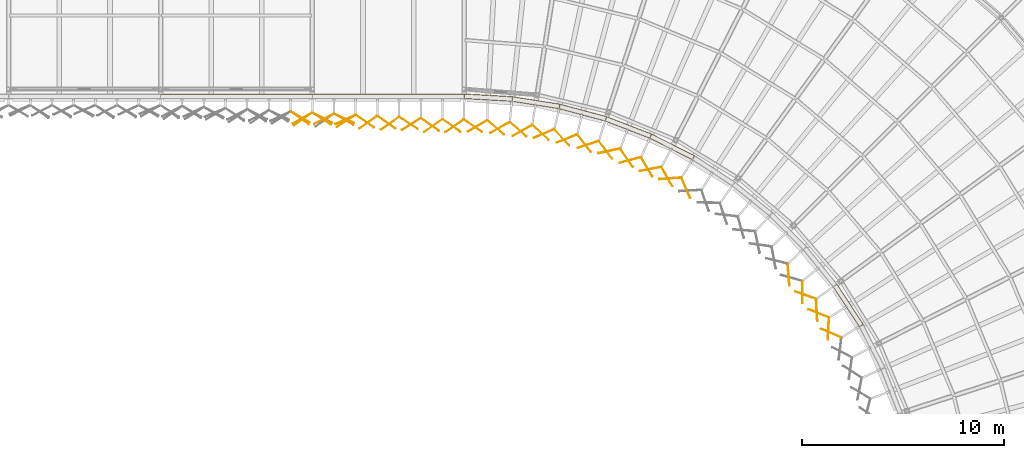
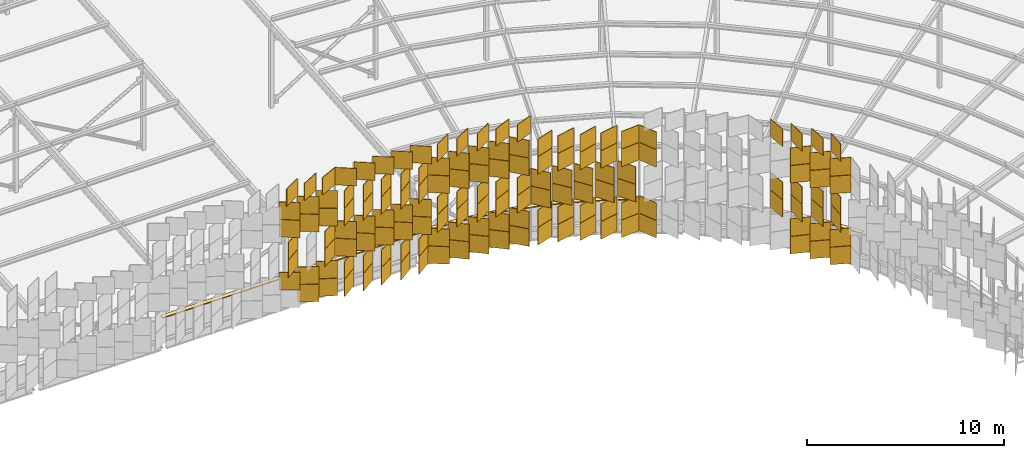
# One storey, part 472 of 483: 154 coverings.
"""IFC4 building model written with IfcOpenShell, lengths in metres."""

from ifc_helpers import new_model, si_unit, direction, frame, origin, origin_2d, place, context, subcontext, project, spatial, polyline, rectangle, outline, extrude, material, layer, layer_set, type_object, element, save


model = new_model("IFC4")

# Units and contexts
model_context = context("Model", 3, precision=1e-05, world=origin(), true_north=direction((0.0, 1.0)))
body_context = subcontext(model_context, "Body", "Model", "MODEL_VIEW")
ifc_project = project(units=[si_unit("LENGTHUNIT", "METRE"), si_unit("AREAUNIT", "SQUARE_METRE"), si_unit("VOLUMEUNIT", "CUBIC_METRE"), si_unit("PLANEANGLEUNIT", "RADIAN"), si_unit("MASSUNIT", "GRAM", prefix="KILO")], contexts=[model_context])

# Site, building, storey
site_placement = place(None, origin())
site = spatial("IfcSite", under=ifc_project, at=site_placement, CompositionType="ELEMENT")
building_placement = place(site_placement, origin())
building = spatial("IfcBuilding", under=site, at=building_placement, Name="Parallax Yard Mobility Hub", CompositionType="ELEMENT")
storey_placement = place(building_placement, frame((0.0, 0.0, 13.199951171875)))
storey = spatial("IfcBuildingStorey", under=building, at=storey_placement, Name="L04", CompositionType="ELEMENT", Elevation=13.199951171875)

# Coverings
ifc_material_1 = material(Name="Concrete fc' 35 MPa", Category="concrete")
ifc_layer_1 = layer(ifc_material_1, 0.06005859375)
ifc_layer_set_1 = layer_set([ifc_layer_1], Name="Parapet coping, Concrete fc' 35 MPa precast, 240")
covering_type_1 = type_object("IfcCoveringType", Name="Parapet coping, Concrete fc' 35 MPa precast, 240", PredefinedType="USERDEFINED", material=ifc_layer_set_1)
covering_1_placement = place(storey_placement, frame((0.0, 0.0, 1.199951171875)))
element("IfcCovering", 1, at=covering_1_placement, inside=storey, type_object=covering_type_1, Name="Parapet coping run 2 part 3", ObjectType="COPING", PredefinedType="USERDEFINED", context=body_context, shape_type="SweptSolid", body=[
    extrude(outline(polyline([(157.5, 112.76611328125), (157.5, 112.52587890625), (165.0, 112.52587890625), (165.0, 112.76611328125), (157.5, 112.76611328125)])), origin(), (0.0, 0.0, 1.0), 0.06005859375),
])
covering_2_placement = place(storey_placement, frame((0.0, 0.0, 1.199951171875)))
element("IfcCovering", 2, at=covering_2_placement, inside=storey, type_object=covering_type_1, Name="Parapet coping run 2 part 4", ObjectType="COPING", PredefinedType="USERDEFINED", context=body_context, shape_type="SweptSolid", body=[
    extrude(outline(polyline([(165.0, 112.76611328125), (165.0, 112.52587890625), (172.500732421875, 112.52587890625), (172.507568359375, 112.76611328125), (165.0, 112.76611328125)])), origin(), (0.0, 0.0, 1.0), 0.06005859375),
])
covering_3_placement = place(storey_placement, frame((0.0, 0.0, 1.199951171875)))
element("IfcCovering", 3, at=covering_3_placement, inside=storey, type_object=covering_type_1, Name="Parapet coping run 2 part 5", ObjectType="COPING", PredefinedType="USERDEFINED", context=body_context, shape_type="SweptSolid", body=[
    extrude(outline(polyline([(172.507568359375, 112.76611328125), (172.500732421875, 112.52587890625), (174.853515625, 112.39111328125), (174.87890625, 112.630126953125), (172.507568359375, 112.76611328125)])), origin(), (0.0, 0.0, 1.0), 0.06005859375),
])
covering_4_placement = place(storey_placement, frame((0.0, 0.0, 1.199951171875)))
element("IfcCovering", 4, at=covering_4_placement, inside=storey, type_object=covering_type_1, Name="Parapet coping run 2 part 6", ObjectType="COPING", PredefinedType="USERDEFINED", context=body_context, shape_type="SweptSolid", body=[
    extrude(outline(polyline([(174.87890625, 112.630126953125), (174.853515625, 112.39111328125), (177.181396484375, 112.0263671875), (177.231201171875, 112.261474609375), (174.87890625, 112.630126953125)])), origin(), (0.0, 0.0, 1.0), 0.06005859375),
])
covering_5_placement = place(storey_placement, frame((0.0, 0.0, 1.199951171875)))
element("IfcCovering", 5, at=covering_5_placement, inside=storey, type_object=covering_type_1, Name="Parapet coping run 2 part 7", ObjectType="COPING", PredefinedType="USERDEFINED", context=body_context, shape_type="SweptSolid", body=[
    extrude(outline(polyline([(177.231201171875, 112.261474609375), (177.181396484375, 112.0263671875), (179.45849609375, 111.416259765625), (179.53271484375, 111.644775390625), (177.231201171875, 112.261474609375)])), origin(), (0.0, 0.0, 1.0), 0.06005859375),
])
covering_6_placement = place(storey_placement, frame((0.0, 0.0, 1.199951171875)))
element("IfcCovering", 6, at=covering_6_placement, inside=storey, type_object=covering_type_1, Name="Parapet coping run 2 part 8", ObjectType="COPING", PredefinedType="USERDEFINED", context=body_context, shape_type="SweptSolid", body=[
    extrude(outline(polyline([(179.53271484375, 111.644775390625), (179.45849609375, 111.416259765625), (181.6572265625, 110.568115234375), (181.754638671875, 110.78759765625), (179.53271484375, 111.644775390625)])), origin(), (0.0, 0.0, 1.0), 0.06005859375),
])
covering_7_placement = place(storey_placement, frame((0.0, 0.0, 1.199951171875)))
element("IfcCovering", 7, at=covering_7_placement, inside=storey, type_object=covering_type_1, Name="Parapet coping run 2 part 9", ObjectType="COPING", PredefinedType="USERDEFINED", context=body_context, shape_type="SweptSolid", body=[
    extrude(outline(polyline([(181.754638671875, 110.78759765625), (181.6572265625, 110.568115234375), (183.76318359375, 109.508056640625), (183.88330078125, 109.71630859375), (181.754638671875, 110.78759765625)])), origin(), (0.0, 0.0, 1.0), 0.06005859375),
])
covering_8_placement = place(storey_placement, frame((0.0, 0.0, 1.199951171875)))
element("IfcCovering", 8, at=covering_8_placement, inside=storey, type_object=covering_type_1, Name="Parapet coping run 2 part 14", ObjectType="COPING", PredefinedType="USERDEFINED", context=body_context, shape_type="SweptSolid", body=[
    extrude(outline(polyline([(190.90869140625, 103.375244140625), (190.714599609375, 103.233642578125), (192.008056640625, 101.26318359375), (192.21630859375, 101.38330078125), (190.90869140625, 103.375244140625)])), origin(), (0.0, 0.0, 1.0), 0.06005859375),
])
ifc_material_2 = material(Name="Aluminium panel, silver anodised", Category="aluminium")
ifc_layer_2 = layer(ifc_material_2, 0.030029296875)
ifc_layer_set_2 = layer_set([ifc_layer_2], Name="Skin panel 25 degree turn, silver anodised")
covering_type_2 = type_object("IfcCoveringType", Name="Skin panel 25 degree turn, silver anodised", PredefinedType="CLADDING", material=ifc_layer_set_2)
for number, where, z_axis, x_axis, name in (
    (9, (166.5703125, 111.548828125, 0.02001953125), (0.0, 0.0, 1.0), (0.906307787037, -0.422618261741, 0.0), "Skin panel 25 bay 17.2 row 1 level L04"),
    (10, (166.5703125, 111.548828125, 1.1201171875), (0.0, 0.0, 1.0), (0.906307787037, -0.422618261741, 0.0), "Skin panel 25 bay 17.2 row 2 level L04"),
    (11, (166.63330078125, 111.4951171875, 6.6201171875), (0.0, 0.0, 1.0), (-0.906307787037, -0.422618261741, 0.0), "Skin panel 25 bay 17.2 row 7 level L04"),
):
    element("IfcCovering", number, at=place(storey_placement, frame(where, z_axis=z_axis, x_axis=x_axis)), inside=storey, type_object=covering_type_2, Name=name, ObjectType="SCREEN", PredefinedType="CLADDING", context=body_context, shape_type="SweptSolid", body=[
        extrude(rectangle(XDim=1.080078125, YDim=0.030029296875, at=origin_2d()), origin(), (0.0, 0.0, 1.0), 1.080078125),
    ])
ifc_layer_3 = layer(ifc_material_2, 0.030029296875)
ifc_layer_set_3 = layer_set([ifc_layer_3], Name="Skin panel 27.5 degree turn, silver anodised")
covering_type_3 = type_object("IfcCoveringType", Name="Skin panel 27.5 degree turn, silver anodised", PredefinedType="CLADDING", material=ifc_layer_set_3)
for number, where, z_axis, x_axis, name in (
    (12, (165.488037109375, 111.58056640625, 0.02001953125), (0.0, 0.0, 1.0), (0.887010833178, -0.461748613235, 0.0), "Skin panel 27.5 bay 17.1 row 1 level L04"),
    (13, (165.488037109375, 111.58056640625, 1.1201171875), (0.0, 0.0, 1.0), (0.887010833178, -0.461748613235, 0.0), "Skin panel 27.5 bay 17.1 row 2 level L04"),
    (14, (165.572509765625, 111.527099609375, 6.6201171875), (0.0, 0.0, 1.0), (-0.887010833178, -0.461748613235, 0.0), "Skin panel 27.5 bay 17.1 row 7 level L04"),
):
    element("IfcCovering", number, at=place(storey_placement, frame(where, z_axis=z_axis, x_axis=x_axis)), inside=storey, type_object=covering_type_3, Name=name, ObjectType="SCREEN", PredefinedType="CLADDING", context=body_context, shape_type="SweptSolid", body=[
        extrude(rectangle(XDim=1.080078125, YDim=0.030029296875, at=origin_2d()), origin(), (0.0, 0.0, 1.0), 1.080078125),
    ])
ifc_layer_4 = layer(ifc_material_2, 0.030029296875)
ifc_layer_set_4 = layer_set([ifc_layer_4], Name="Skin panel 30 degree turn, silver anodised")
covering_type_4 = type_object("IfcCoveringType", Name="Skin panel 30 degree turn, silver anodised", PredefinedType="CLADDING", material=ifc_layer_set_4)
for number, where, z_axis, x_axis, name in (
    (15, (164.40478515625, 111.61279296875, 1.1201171875), (0.0, 0.0, 1.0), (0.866025403784, -0.5, 0.0), "Skin panel 30 bay 16.7 row 2 level L04"),
    (16, (164.5126953125, 111.559326171875, 6.6201171875), (0.0, 0.0, 1.0), (-0.866025403784, -0.5, 0.0), "Skin panel 30 bay 16.7 row 7 level L04"),
    (17, (166.5478515625, 111.505859375, 4.419921875), (0.0, 0.0, 1.0), (0.866025403784, -0.5, 0.0), "Skin panel 30 bay 17.2 row 5 level L04"),
    (18, (166.5478515625, 111.505859375, 5.52001953125), (0.0, 0.0, 1.0), (0.866025403784, -0.5, 0.0), "Skin panel 30 bay 17.2 row 6 level L04"),
):
    element("IfcCovering", number, at=place(storey_placement, frame(where, z_axis=z_axis, x_axis=x_axis)), inside=storey, type_object=covering_type_4, Name=name, ObjectType="SCREEN", PredefinedType="CLADDING", context=body_context, shape_type="SweptSolid", body=[
        extrude(rectangle(XDim=1.080078125, YDim=0.030029296875, at=origin_2d()), origin(), (0.0, 0.0, 1.0), 1.080078125),
    ])
ifc_layer_5 = layer(ifc_material_2, 0.030029296875)
ifc_layer_set_5 = layer_set([ifc_layer_5], Name="Skin panel 32.5 degree turn, silver anodised")
covering_type_5 = type_object("IfcCoveringType", Name="Skin panel 32.5 degree turn, silver anodised", PredefinedType="CLADDING", material=ifc_layer_set_5)
for number, where, z_axis, x_axis, name in (
    (19, (165.4638671875, 111.53857421875, 4.419921875), (0.0, 0.0, 1.0), (0.843391445813, -0.537299608347, 0.0), "Skin panel 32.5 bay 17.1 row 5 level L04"),
    (20, (165.4638671875, 111.53857421875, 5.52001953125), (0.0, 0.0, 1.0), (0.843391445813, -0.537299608347, 0.0), "Skin panel 32.5 bay 17.1 row 6 level L04"),
    (21, (166.66845703125, 111.431396484375, 2.219970703125), (0.0, 0.0, 1.0), (-0.843391445813, -0.537299608347, 0.0), "Skin panel 32.5 bay 17.2 row 3 level L04"),
    (22, (166.66845703125, 111.431396484375, 3.320068359375), (0.0, 0.0, 1.0), (-0.843391445813, -0.537299608347, 0.0), "Skin panel 32.5 bay 17.2 row 4 level L04"),
    (23, (169.8828125, 111.270751953125, 0.02001953125), (0.0, 0.0, 1.0), (-0.843391445813, -0.537299608347, 0.0), "Skin panel 32.5 bay 17.5 row 1 level L04"),
    (24, (169.8828125, 111.270751953125, 1.1201171875), (0.0, 0.0, 1.0), (-0.843391445813, -0.537299608347, 0.0), "Skin panel 32.5 bay 17.5 row 2 level L04"),
    (25, (169.749755859375, 111.32421875, 2.219970703125), (0.0, 0.0, 1.0), (0.843391445813, -0.537299608347, 0.0), "Skin panel 32.5 bay 17.5 row 3 level L04"),
    (26, (169.749755859375, 111.32421875, 3.320068359375), (0.0, 0.0, 1.0), (0.843391445813, -0.537299608347, 0.0), "Skin panel 32.5 bay 17.5 row 4 level L04"),
    (27, (169.8828125, 111.270751953125, 4.419921875), (0.0, 0.0, 1.0), (-0.843391445813, -0.537299608347, 0.0), "Skin panel 32.5 bay 17.5 row 5 level L04"),
    (28, (169.8828125, 111.270751953125, 5.52001953125), (0.0, 0.0, 1.0), (-0.843391445813, -0.537299608347, 0.0), "Skin panel 32.5 bay 17.5 row 6 level L04"),
    (29, (169.749755859375, 111.32421875, 6.6201171875), (0.0, 0.0, 1.0), (0.843391445813, -0.537299608347, 0.0), "Skin panel 32.5 bay 17.5 row 7 level L04"),
    (30, (172.931396484375, 111.186279296875, 0.02001953125), (0.0, 0.0, 1.0), (0.825359933085, -0.564606925974, 0.0), "Skin panel 32.5 bay 18.1 row 1 level L04"),
    (31, (172.931396484375, 111.186279296875, 1.1201171875), (0.0, 0.0, 1.0), (0.825359933085, -0.564606925974, 0.0), "Skin panel 32.5 bay 18.1 row 2 level L04"),
    (32, (173.15576171875, 111.178955078125, 2.219970703125), (0.0, 0.0, 1.0), (-0.860519833856, -0.509416936841, 0.0), "Skin panel 32.5 bay 18.1 row 3 level L04"),
    (33, (173.15576171875, 111.178955078125, 3.320068359375), (0.0, 0.0, 1.0), (-0.860519833856, -0.509416936841, 0.0), "Skin panel 32.5 bay 18.1 row 4 level L04"),
    (34, (172.931396484375, 111.186279296875, 4.419921875), (0.0, 0.0, 1.0), (0.825359933085, -0.564606925974, 0.0), "Skin panel 32.5 bay 18.1 row 5 level L04"),
    (35, (172.931396484375, 111.186279296875, 5.52001953125), (0.0, 0.0, 1.0), (0.825359933085, -0.564606925974, 0.0), "Skin panel 32.5 bay 18.1 row 6 level L04"),
    (36, (173.15576171875, 111.178955078125, 6.6201171875), (0.0, 0.0, 1.0), (-0.860519833856, -0.509416936841, 0.0), "Skin panel 32.5 bay 18.1 row 7 level L04"),
    (37, (176.2685546875, 110.853759765625, 0.02001953125), (0.0, 0.0, 1.0), (0.744602872292, -0.66750772473, 0.0), "Skin panel 32.5 bay 18.4 row 1 level L04"),
    (38, (176.2685546875, 110.853759765625, 1.1201171875), (0.0, 0.0, 1.0), (0.744602872292, -0.66750772473, 0.0), "Skin panel 32.5 bay 18.4 row 2 level L04"),
    (39, (176.44140625, 110.8076171875, 2.219970703125), (0.0, 0.0, 1.0), (-0.919650220405, -0.392738427085, 0.0), "Skin panel 32.5 bay 18.4 row 3 level L04"),
    (40, (176.44140625, 110.8076171875, 3.320068359375), (0.0, 0.0, 1.0), (-0.919650220405, -0.392738427085, 0.0), "Skin panel 32.5 bay 18.4 row 4 level L04"),
    (41, (176.2685546875, 110.853759765625, 4.419921875), (0.0, 0.0, 1.0), (0.744602872292, -0.66750772473, 0.0), "Skin panel 32.5 bay 18.4 row 5 level L04"),
    (42, (176.2685546875, 110.853759765625, 5.52001953125), (0.0, 0.0, 1.0), (0.744602872292, -0.66750772473, 0.0), "Skin panel 32.5 bay 18.4 row 6 level L04"),
    (43, (176.44140625, 110.8076171875, 6.6201171875), (0.0, 0.0, 1.0), (-0.919650220405, -0.392738427085, 0.0), "Skin panel 32.5 bay 18.4 row 7 level L04"),
    (44, (179.660400390625, 109.945068359375, 0.02001953125), (0.0, 0.0, 1.0), (-0.978598865501, -0.205777210692, 0.0), "Skin panel 32.5 bay 19.1 row 1 level L04"),
    (45, (179.660400390625, 109.945068359375, 1.1201171875), (0.0, 0.0, 1.0), (-0.978598865501, -0.205777210692, 0.0), "Skin panel 32.5 bay 19.1 row 2 level L04"),
    (46, (179.48828125, 109.9912109375, 2.219970703125), (0.0, 0.0, 1.0), (0.600071239924, -0.7999465651, 0.0), "Skin panel 32.5 bay 19.1 row 3 level L04"),
    (47, (179.48828125, 109.9912109375, 3.320068359375), (0.0, 0.0, 1.0), (0.600071239924, -0.7999465651, 0.0), "Skin panel 32.5 bay 19.1 row 4 level L04"),
    (48, (179.660400390625, 109.945068359375, 4.419921875), (0.0, 0.0, 1.0), (-0.978598865501, -0.205777210692, 0.0), "Skin panel 32.5 bay 19.1 row 5 level L04"),
    (49, (179.660400390625, 109.945068359375, 5.52001953125), (0.0, 0.0, 1.0), (-0.978598865501, -0.205777210692, 0.0), "Skin panel 32.5 bay 19.1 row 6 level L04"),
    (50, (182.67578125, 108.588623046875, 0.02001953125), (0.0, 0.0, 1.0), (-0.997086132304, -0.076283974504, 0.0), "Skin panel 32.5 bay 19.4 row 1 level L04"),
    (51, (182.67578125, 108.588623046875, 1.1201171875), (0.0, 0.0, 1.0), (-0.997086132304, -0.076283974504, 0.0), "Skin panel 32.5 bay 19.4 row 2 level L04"),
    (52, (182.517822265625, 108.67138671875, 2.219970703125), (0.0, 0.0, 1.0), (0.490523568159, -0.87142792535, 0.0), "Skin panel 32.5 bay 19.4 row 3 level L04"),
    (53, (182.517822265625, 108.67138671875, 3.320068359375), (0.0, 0.0, 1.0), (0.490523568159, -0.87142792535, 0.0), "Skin panel 32.5 bay 19.4 row 4 level L04"),
    (54, (182.67578125, 108.588623046875, 4.419921875), (0.0, 0.0, 1.0), (-0.997086132304, -0.076283974504, 0.0), "Skin panel 32.5 bay 19.4 row 5 level L04"),
    (55, (182.67578125, 108.588623046875, 5.52001953125), (0.0, 0.0, 1.0), (-0.997086132304, -0.076283974504, 0.0), "Skin panel 32.5 bay 19.4 row 6 level L04"),
    (56, (190.001220703125, 101.924560546875, 0.02001953125), (0.0, 0.0, 1.0), (-0.927998912192, 0.372582902144, 0.0), "Skin panel 32.5 bay 21.1 row 1 level L04"),
    (57, (190.001220703125, 101.924560546875, 1.1201171875), (0.0, 0.0, 1.0), (-0.927998912192, 0.372582902144, 0.0), "Skin panel 32.5 bay 21.1 row 2 level L04"),
    (58, (189.912109375, 102.078857421875, 2.219970703125), (0.0, 0.0, 1.0), (0.054514501638, -0.99851297894, 0.0), "Skin panel 32.5 bay 21.1 row 3 level L04"),
    (59, (189.912109375, 102.078857421875, 3.320068359375), (0.0, 0.0, 1.0), (0.054514501638, -0.99851297894, 0.0), "Skin panel 32.5 bay 21.1 row 4 level L04"),
    (60, (190.001220703125, 101.924560546875, 4.419921875), (0.0, 0.0, 1.0), (-0.927998912192, 0.372582902144, 0.0), "Skin panel 32.5 bay 21.1 row 5 level L04"),
    (61, (190.001220703125, 101.924560546875, 5.52001953125), (0.0, 0.0, 1.0), (-0.927998912192, 0.372582902144, 0.0), "Skin panel 32.5 bay 21.1 row 6 level L04"),
    (62, (189.912109375, 102.078857421875, 6.6201171875), (0.0, 0.0, 1.0), (0.054514501638, -0.99851297894, 0.0), "Skin panel 32.5 bay 21.1 row 7 level L04"),
):
    element("IfcCovering", number, at=place(storey_placement, frame(where, z_axis=z_axis, x_axis=x_axis)), inside=storey, type_object=covering_type_5, Name=name, ObjectType="SCREEN", PredefinedType="CLADDING", context=body_context, shape_type="SweptSolid", body=[
        extrude(rectangle(XDim=1.080078125, YDim=0.030029296875, at=origin_2d()), origin(), (0.0, 0.0, 1.0), 1.080078125),
    ])
ifc_layer_6 = layer(ifc_material_2, 0.030029296875)
ifc_layer_set_6 = layer_set([ifc_layer_6], Name="Skin panel 35 degree turn, silver anodised")
covering_type_6 = type_object("IfcCoveringType", Name="Skin panel 35 degree turn, silver anodised", PredefinedType="CLADDING", material=ifc_layer_set_6)
for number, where, z_axis, x_axis, name in (
    (63, (164.538818359375, 111.518310546875, 2.219970703125), (0.0, 0.0, 1.0), (-0.819152044289, -0.573576436351, 0.0), "Skin panel 35 bay 16.7 row 3 level L04"),
    (64, (164.538818359375, 111.518310546875, 3.320068359375), (0.0, 0.0, 1.0), (-0.819152044289, -0.573576436351, 0.0), "Skin panel 35 bay 16.7 row 4 level L04"),
    (65, (164.37890625, 111.572021484375, 4.419921875), (0.0, 0.0, 1.0), (0.819152044289, -0.573576436351, 0.0), "Skin panel 35 bay 16.7 row 5 level L04"),
    (66, (164.37890625, 111.572021484375, 5.52001953125), (0.0, 0.0, 1.0), (0.819152044289, -0.573576436351, 0.0), "Skin panel 35 bay 16.7 row 6 level L04"),
    (67, (167.75341796875, 111.357666015625, 0.02001953125), (0.0, 0.0, 1.0), (-0.819152044289, -0.573576436351, 0.0), "Skin panel 35 bay 17.3 row 1 level L04"),
    (68, (167.75341796875, 111.357666015625, 1.1201171875), (0.0, 0.0, 1.0), (-0.819152044289, -0.573576436351, 0.0), "Skin panel 35 bay 17.3 row 2 level L04"),
    (69, (167.59326171875, 111.4111328125, 2.219970703125), (0.0, 0.0, 1.0), (0.819152044289, -0.573576436351, 0.0), "Skin panel 35 bay 17.3 row 3 level L04"),
    (70, (167.59326171875, 111.4111328125, 3.320068359375), (0.0, 0.0, 1.0), (0.819152044289, -0.573576436351, 0.0), "Skin panel 35 bay 17.3 row 4 level L04"),
    (71, (167.75341796875, 111.357666015625, 4.419921875), (0.0, 0.0, 1.0), (-0.819152044289, -0.573576436351, 0.0), "Skin panel 35 bay 17.3 row 5 level L04"),
    (72, (167.75341796875, 111.357666015625, 5.52001953125), (0.0, 0.0, 1.0), (-0.819152044289, -0.573576436351, 0.0), "Skin panel 35 bay 17.3 row 6 level L04"),
    (73, (167.59326171875, 111.4111328125, 6.6201171875), (0.0, 0.0, 1.0), (0.819152044289, -0.573576436351, 0.0), "Skin panel 35 bay 17.3 row 7 level L04"),
    (74, (168.82470703125, 111.30419921875, 0.02001953125), (0.0, 0.0, 1.0), (-0.819152044289, -0.573576436351, 0.0), "Skin panel 35 bay 17.4 row 1 level L04"),
    (75, (168.82470703125, 111.30419921875, 1.1201171875), (0.0, 0.0, 1.0), (-0.819152044289, -0.573576436351, 0.0), "Skin panel 35 bay 17.4 row 2 level L04"),
    (76, (168.664794921875, 111.357666015625, 2.219970703125), (0.0, 0.0, 1.0), (0.819152044289, -0.573576436351, 0.0), "Skin panel 35 bay 17.4 row 3 level L04"),
    (77, (168.664794921875, 111.357666015625, 3.320068359375), (0.0, 0.0, 1.0), (0.819152044289, -0.573576436351, 0.0), "Skin panel 35 bay 17.4 row 4 level L04"),
    (78, (168.82470703125, 111.30419921875, 4.419921875), (0.0, 0.0, 1.0), (-0.819152044289, -0.573576436351, 0.0), "Skin panel 35 bay 17.4 row 5 level L04"),
    (79, (168.82470703125, 111.30419921875, 5.52001953125), (0.0, 0.0, 1.0), (-0.819152044289, -0.573576436351, 0.0), "Skin panel 35 bay 17.4 row 6 level L04"),
    (80, (168.664794921875, 111.357666015625, 6.6201171875), (0.0, 0.0, 1.0), (0.819152044289, -0.573576436351, 0.0), "Skin panel 35 bay 17.4 row 7 level L04"),
    (81, (170.968017578125, 111.197021484375, 0.02001953125), (0.0, 0.0, 1.0), (-0.819152044289, -0.573576436351, 0.0), "Skin panel 35 bay 17.6 row 1 level L04"),
    (82, (170.968017578125, 111.197021484375, 1.1201171875), (0.0, 0.0, 1.0), (-0.819152044289, -0.573576436351, 0.0), "Skin panel 35 bay 17.6 row 2 level L04"),
    (83, (170.807861328125, 111.25048828125, 2.219970703125), (0.0, 0.0, 1.0), (0.819152044289, -0.573576436351, 0.0), "Skin panel 35 bay 17.6 row 3 level L04"),
    (84, (170.807861328125, 111.25048828125, 3.320068359375), (0.0, 0.0, 1.0), (0.819152044289, -0.573576436351, 0.0), "Skin panel 35 bay 17.6 row 4 level L04"),
    (85, (170.968017578125, 111.197021484375, 4.419921875), (0.0, 0.0, 1.0), (-0.819152044289, -0.573576436351, 0.0), "Skin panel 35 bay 17.6 row 5 level L04"),
    (86, (170.968017578125, 111.197021484375, 5.52001953125), (0.0, 0.0, 1.0), (-0.819152044289, -0.573576436351, 0.0), "Skin panel 35 bay 17.6 row 6 level L04"),
    (87, (170.807861328125, 111.25048828125, 6.6201171875), (0.0, 0.0, 1.0), (0.819152044289, -0.573576436351, 0.0), "Skin panel 35 bay 17.6 row 7 level L04"),
    (88, (172.0166015625, 111.181396484375, 0.02001953125), (0.0, 0.0, 1.0), (-0.819152044289, -0.573576436351, 0.0), "Skin panel 35 bay 17.7 row 1 level L04"),
    (89, (172.0166015625, 111.181396484375, 1.1201171875), (0.0, 0.0, 1.0), (-0.819152044289, -0.573576436351, 0.0), "Skin panel 35 bay 17.7 row 2 level L04"),
    (90, (171.87939453125, 111.197021484375, 2.219970703125), (0.0, 0.0, 1.0), (0.819152044289, -0.573576436351, 0.0), "Skin panel 35 bay 17.7 row 3 level L04"),
    (91, (171.87939453125, 111.197021484375, 3.320068359375), (0.0, 0.0, 1.0), (0.819152044289, -0.573576436351, 0.0), "Skin panel 35 bay 17.7 row 4 level L04"),
    (92, (172.0166015625, 111.181396484375, 4.419921875), (0.0, 0.0, 1.0), (-0.819152044289, -0.573576436351, 0.0), "Skin panel 35 bay 17.7 row 5 level L04"),
    (93, (172.0166015625, 111.181396484375, 5.52001953125), (0.0, 0.0, 1.0), (-0.819152044289, -0.573576436351, 0.0), "Skin panel 35 bay 17.7 row 6 level L04"),
    (94, (171.87939453125, 111.197021484375, 6.6201171875), (0.0, 0.0, 1.0), (0.819152044289, -0.573576436351, 0.0), "Skin panel 35 bay 17.7 row 7 level L04"),
    (95, (174.056884765625, 111.10009765625, 0.02001953125), (0.0, 0.0, 1.0), (0.758987281247, -0.651105449912, 0.0), "Skin panel 35 bay 18.2 row 1 level L04"),
    (96, (174.056884765625, 111.10009765625, 1.1201171875), (0.0, 0.0, 1.0), (0.758987281247, -0.651105449912, 0.0), "Skin panel 35 bay 18.2 row 2 level L04"),
    (97, (174.2626953125, 111.09765625, 2.219970703125), (0.0, 0.0, 1.0), (-0.87142792535, -0.490523568159, 0.0), "Skin panel 35 bay 18.2 row 3 level L04"),
    (98, (174.2626953125, 111.09765625, 3.320068359375), (0.0, 0.0, 1.0), (-0.87142792535, -0.490523568159, 0.0), "Skin panel 35 bay 18.2 row 4 level L04"),
    (99, (174.056884765625, 111.10009765625, 4.419921875), (0.0, 0.0, 1.0), (0.758987281247, -0.651105449912, 0.0), "Skin panel 35 bay 18.2 row 5 level L04"),
    (100, (174.056884765625, 111.10009765625, 5.52001953125), (0.0, 0.0, 1.0), (0.758987281247, -0.651105449912, 0.0), "Skin panel 35 bay 18.2 row 6 level L04"),
    (101, (174.2626953125, 111.09765625, 6.6201171875), (0.0, 0.0, 1.0), (-0.87142792535, -0.490523568159, 0.0), "Skin panel 35 bay 18.2 row 7 level L04"),
    (102, (175.169677734375, 111.00830078125, 0.02001953125), (0.0, 0.0, 1.0), (0.758987281247, -0.651105449912, 0.0), "Skin panel 35 bay 18.3 row 1 level L04"),
    (103, (175.169677734375, 111.00830078125, 1.1201171875), (0.0, 0.0, 1.0), (0.758987281247, -0.651105449912, 0.0), "Skin panel 35 bay 18.3 row 2 level L04"),
    (104, (175.36962890625, 110.9521484375, 2.219970703125), (0.0, 0.0, 1.0), (-0.87142792535, -0.490523568159, 0.0), "Skin panel 35 bay 18.3 row 3 level L04"),
    (105, (175.36962890625, 110.9521484375, 3.320068359375), (0.0, 0.0, 1.0), (-0.87142792535, -0.490523568159, 0.0), "Skin panel 35 bay 18.3 row 4 level L04"),
    (106, (175.169677734375, 111.00830078125, 4.419921875), (0.0, 0.0, 1.0), (0.758987281247, -0.651105449912, 0.0), "Skin panel 35 bay 18.3 row 5 level L04"),
    (107, (175.169677734375, 111.00830078125, 5.52001953125), (0.0, 0.0, 1.0), (0.758987281247, -0.651105449912, 0.0), "Skin panel 35 bay 18.3 row 6 level L04"),
    (108, (175.36962890625, 110.9521484375, 6.6201171875), (0.0, 0.0, 1.0), (-0.87142792535, -0.490523568159, 0.0), "Skin panel 35 bay 18.3 row 7 level L04"),
    (109, (177.324462890625, 110.61181640625, 0.02001953125), (0.0, 0.0, 1.0), (0.66750772473, -0.744602872292, 0.0), "Skin panel 35 bay 18.5 row 1 level L04"),
    (110, (177.324462890625, 110.61181640625, 1.1201171875), (0.0, 0.0, 1.0), (0.66750772473, -0.744602872292, 0.0), "Skin panel 35 bay 18.5 row 2 level L04"),
    (111, (177.5693359375, 110.5546875, 2.219970703125), (0.0, 0.0, 1.0), (-0.927998912192, -0.372582902144, 0.0), "Skin panel 35 bay 18.5 row 3 level L04"),
    (112, (177.5693359375, 110.5546875, 3.320068359375), (0.0, 0.0, 1.0), (-0.927998912192, -0.372582902144, 0.0), "Skin panel 35 bay 18.5 row 4 level L04"),
    (113, (177.324462890625, 110.61181640625, 4.419921875), (0.0, 0.0, 1.0), (0.66750772473, -0.744602872292, 0.0), "Skin panel 35 bay 18.5 row 5 level L04"),
    (114, (177.324462890625, 110.61181640625, 5.52001953125), (0.0, 0.0, 1.0), (0.66750772473, -0.744602872292, 0.0), "Skin panel 35 bay 18.5 row 6 level L04"),
    (115, (177.5693359375, 110.5546875, 6.6201171875), (0.0, 0.0, 1.0), (-0.927998912192, -0.372582902144, 0.0), "Skin panel 35 bay 18.5 row 7 level L04"),
    (116, (178.62548828125, 110.26318359375, 0.02001953125), (0.0, 0.0, 1.0), (-0.950380082985, -0.311091140771, 0.0), "Skin panel 35 bay 18.6 row 1 level L04"),
    (117, (178.62548828125, 110.26318359375, 1.1201171875), (0.0, 0.0, 1.0), (-0.950380082985, -0.311091140771, 0.0), "Skin panel 35 bay 18.6 row 2 level L04"),
    (118, (178.42919921875, 110.32421875, 2.219970703125), (0.0, 0.0, 1.0), (0.617379181571, -0.786665714369, 0.0), "Skin panel 35 bay 18.6 row 3 level L04"),
    (119, (178.42919921875, 110.32421875, 3.320068359375), (0.0, 0.0, 1.0), (0.617379181571, -0.786665714369, 0.0), "Skin panel 35 bay 18.6 row 4 level L04"),
    (120, (178.62548828125, 110.26318359375, 4.419921875), (0.0, 0.0, 1.0), (-0.950380082985, -0.311091140771, 0.0), "Skin panel 35 bay 18.6 row 5 level L04"),
    (121, (178.62548828125, 110.26318359375, 5.52001953125), (0.0, 0.0, 1.0), (-0.950380082985, -0.311091140771, 0.0), "Skin panel 35 bay 18.6 row 6 level L04"),
    (122, (180.697021484375, 109.494384765625, 0.02001953125), (0.0, 0.0, 1.0), (-0.968691580357, -0.248267239374, 0.0), "Skin panel 35 bay 19.2 row 1 level L04"),
    (123, (180.697021484375, 109.494384765625, 1.1201171875), (0.0, 0.0, 1.0), (-0.968691580357, -0.248267239374, 0.0), "Skin panel 35 bay 19.2 row 2 level L04"),
    (124, (180.51904296875, 109.600341796875, 2.219970703125), (0.0, 0.0, 1.0), (0.564606925974, -0.825359933085, 0.0), "Skin panel 35 bay 19.2 row 3 level L04"),
    (125, (180.51904296875, 109.600341796875, 3.320068359375), (0.0, 0.0, 1.0), (0.564606925974, -0.825359933085, 0.0), "Skin panel 35 bay 19.2 row 4 level L04"),
    (126, (180.697021484375, 109.494384765625, 4.419921875), (0.0, 0.0, 1.0), (-0.968691580357, -0.248267239374, 0.0), "Skin panel 35 bay 19.2 row 5 level L04"),
    (127, (180.697021484375, 109.494384765625, 5.52001953125), (0.0, 0.0, 1.0), (-0.968691580357, -0.248267239374, 0.0), "Skin panel 35 bay 19.2 row 6 level L04"),
    (128, (181.6982421875, 109.053466796875, 0.02001953125), (0.0, 0.0, 1.0), (-0.982854991665, -0.184380219543, 0.0), "Skin panel 35 bay 19.3 row 1 level L04"),
    (129, (181.6982421875, 109.053466796875, 1.1201171875), (0.0, 0.0, 1.0), (-0.982854991665, -0.184380219543, 0.0), "Skin panel 35 bay 19.3 row 2 level L04"),
    (130, (181.519287109375, 109.15380859375, 2.219970703125), (0.0, 0.0, 1.0), (0.509416936841, -0.860519833856, 0.0), "Skin panel 35 bay 19.3 row 3 level L04"),
    (131, (181.519287109375, 109.15380859375, 3.320068359375), (0.0, 0.0, 1.0), (0.509416936841, -0.860519833856, 0.0), "Skin panel 35 bay 19.3 row 4 level L04"),
    (132, (181.6982421875, 109.053466796875, 4.419921875), (0.0, 0.0, 1.0), (-0.982854991665, -0.184380219543, 0.0), "Skin panel 35 bay 19.3 row 5 level L04"),
    (133, (181.6982421875, 109.053466796875, 5.52001953125), (0.0, 0.0, 1.0), (-0.982854991665, -0.184380219543, 0.0), "Skin panel 35 bay 19.3 row 6 level L04"),
    (134, (183.448974609375, 108.119384765625, 0.02001953125), (0.0, 0.0, 1.0), (0.392738427085, -0.919650220405, 0.0), "Skin panel 35 bay 19.5 row 1 level L04"),
    (135, (183.448974609375, 108.119384765625, 1.1201171875), (0.0, 0.0, 1.0), (0.392738427085, -0.919650220405, 0.0), "Skin panel 35 bay 19.5 row 2 level L04"),
    (136, (183.448974609375, 108.119384765625, 4.419921875), (0.0, 0.0, 1.0), (0.392738427085, -0.919650220405, 0.0), "Skin panel 35 bay 19.5 row 5 level L04"),
    (137, (183.448974609375, 108.119384765625, 5.52001953125), (0.0, 0.0, 1.0), (0.392738427085, -0.919650220405, 0.0), "Skin panel 35 bay 19.5 row 6 level L04"),
    (138, (188.523681640625, 103.816162109375, 2.219970703125), (0.0, 0.0, 1.0), (0.076283974504, -0.997086132304, 0.0), "Skin panel 35 bay 20.5 row 3 level L04"),
    (139, (188.523681640625, 103.816162109375, 3.320068359375), (0.0, 0.0, 1.0), (0.076283974504, -0.997086132304, 0.0), "Skin panel 35 bay 20.5 row 4 level L04"),
    (140, (188.523681640625, 103.816162109375, 6.6201171875), (0.0, 0.0, 1.0), (0.076283974504, -0.997086132304, 0.0), "Skin panel 35 bay 20.5 row 7 level L04"),
    (141, (189.35693359375, 102.81884765625, 0.02001953125), (0.0, 0.0, 1.0), (-0.94336750079, 0.331749541753, 0.0), "Skin panel 35 bay 20.6 row 1 level L04"),
    (142, (189.35693359375, 102.81884765625, 1.1201171875), (0.0, 0.0, 1.0), (-0.94336750079, 0.331749541753, 0.0), "Skin panel 35 bay 20.6 row 2 level L04"),
    (143, (189.208740234375, 102.963134765625, 2.219970703125), (0.0, 0.0, 1.0), (0.010908091494, -0.999940505, 0.0), "Skin panel 35 bay 20.6 row 3 level L04"),
    (144, (189.208740234375, 102.963134765625, 3.320068359375), (0.0, 0.0, 1.0), (0.010908091494, -0.999940505, 0.0), "Skin panel 35 bay 20.6 row 4 level L04"),
    (145, (189.35693359375, 102.81884765625, 4.419921875), (0.0, 0.0, 1.0), (-0.94336750079, 0.331749541753, 0.0), "Skin panel 35 bay 20.6 row 5 level L04"),
    (146, (189.35693359375, 102.81884765625, 5.52001953125), (0.0, 0.0, 1.0), (-0.94336750079, 0.331749541753, 0.0), "Skin panel 35 bay 20.6 row 6 level L04"),
    (147, (189.208740234375, 102.963134765625, 6.6201171875), (0.0, 0.0, 1.0), (0.010908091494, -0.999940505, 0.0), "Skin panel 35 bay 20.6 row 7 level L04"),
    (148, (190.619384765625, 100.94873046875, 0.02001953125), (0.0, 0.0, 1.0), (-0.919650220405, 0.392738427085, 0.0), "Skin panel 35 bay 21.2 row 1 level L04"),
    (149, (190.619384765625, 100.94873046875, 1.1201171875), (0.0, 0.0, 1.0), (-0.919650220405, 0.392738427085, 0.0), "Skin panel 35 bay 21.2 row 2 level L04"),
    (150, (190.487060546875, 101.16162109375, 2.219970703125), (0.0, 0.0, 1.0), (-0.054514501638, -0.99851297894, 0.0), "Skin panel 35 bay 21.2 row 3 level L04"),
    (151, (190.487060546875, 101.16162109375, 3.320068359375), (0.0, 0.0, 1.0), (-0.054514501638, -0.99851297894, 0.0), "Skin panel 35 bay 21.2 row 4 level L04"),
    (152, (190.619384765625, 100.94873046875, 4.419921875), (0.0, 0.0, 1.0), (-0.919650220405, 0.392738427085, 0.0), "Skin panel 35 bay 21.2 row 5 level L04"),
    (153, (190.619384765625, 100.94873046875, 5.52001953125), (0.0, 0.0, 1.0), (-0.919650220405, 0.392738427085, 0.0), "Skin panel 35 bay 21.2 row 6 level L04"),
    (154, (190.487060546875, 101.16162109375, 6.6201171875), (0.0, 0.0, 1.0), (-0.054514501638, -0.99851297894, 0.0), "Skin panel 35 bay 21.2 row 7 level L04"),
):
    element("IfcCovering", number, at=place(storey_placement, frame(where, z_axis=z_axis, x_axis=x_axis)), inside=storey, type_object=covering_type_6, Name=name, ObjectType="SCREEN", PredefinedType="CLADDING", context=body_context, shape_type="SweptSolid", body=[
        extrude(rectangle(XDim=1.080078125, YDim=0.030029296875, at=origin_2d()), origin(), (0.0, 0.0, 1.0), 1.080078125),
    ])

save(model, "model.ifc")
